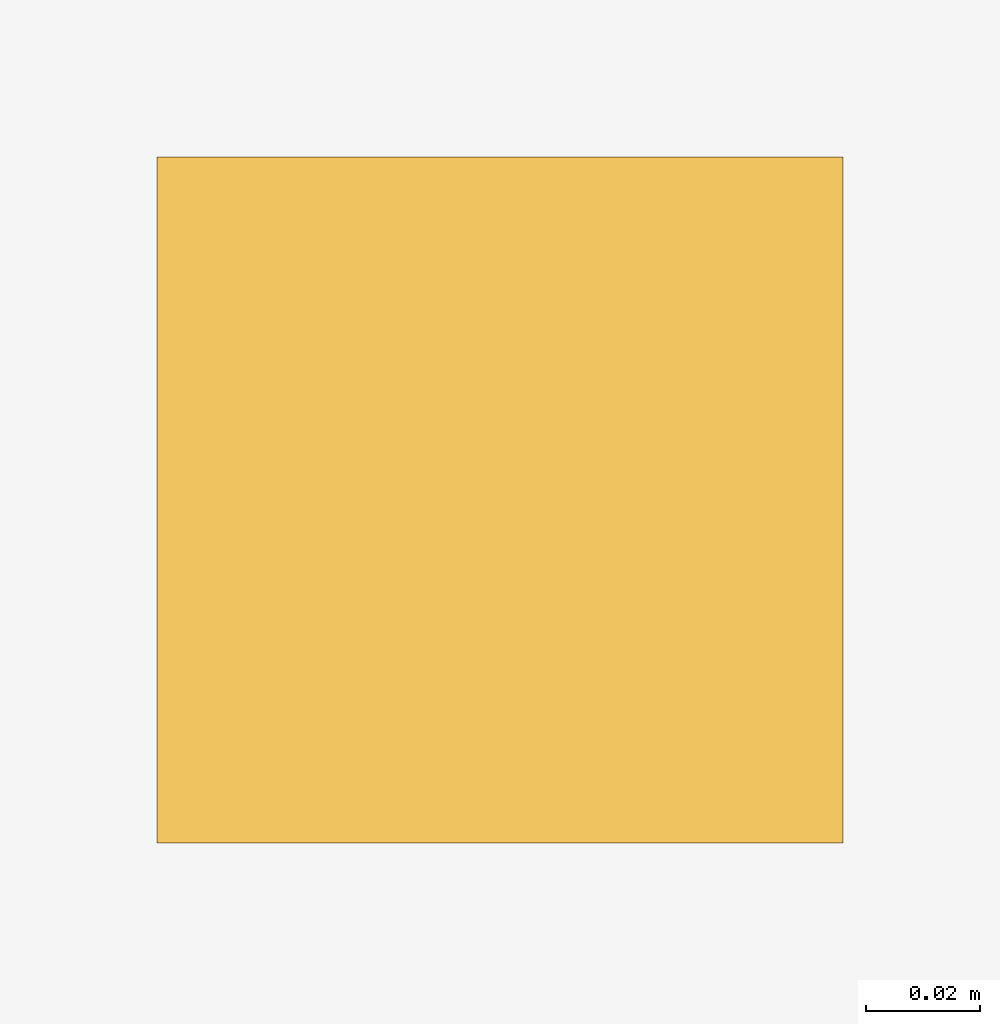
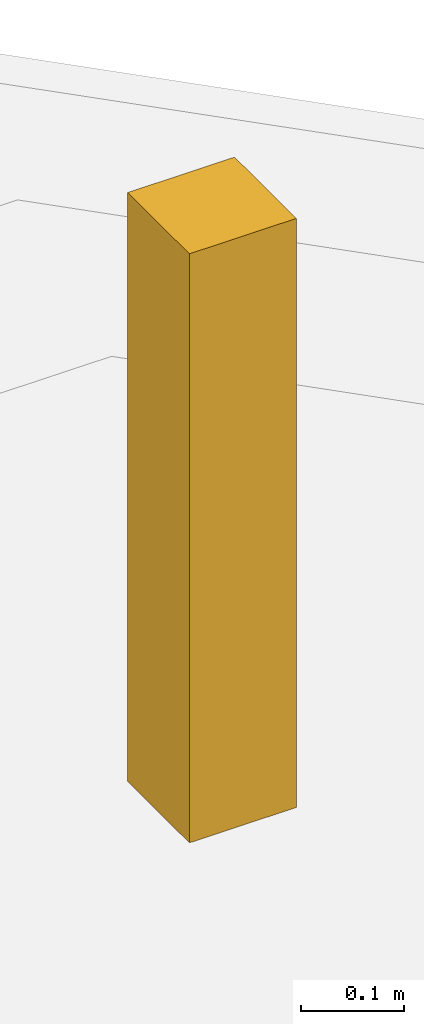
# One storey, part 18 of 20: 1 covering.
"""IFC4 building model written with IfcOpenShell, lengths in metres."""

from ifc_helpers import new_model, si_unit, direction, frame, origin, origin_2d, place, context, subcontext, project, spatial, rectangle, extrude, material, type_object, element, save


model = new_model("IFC4")

# Units and contexts
model_context = context("Model", 3, precision=1e-05, world=origin(), true_north=direction((0.0, 1.0)))
body_context = subcontext(model_context, "Body", "Model", "MODEL_VIEW")
ifc_project = project(units=[si_unit("LENGTHUNIT", "METRE"), si_unit("AREAUNIT", "SQUARE_METRE"), si_unit("VOLUMEUNIT", "CUBIC_METRE"), si_unit("PLANEANGLEUNIT", "RADIAN"), si_unit("MASSUNIT", "GRAM", prefix="KILO")], contexts=[model_context])

# Site, building, storey
site_placement = place(None, origin())
site = spatial("IfcSite", under=ifc_project, at=site_placement, CompositionType="ELEMENT")
building_placement = place(site_placement, origin())
building = spatial("IfcBuilding", under=site, at=building_placement, Name="Noorbagh Ring Tower", CompositionType="ELEMENT")
storey_placement = place(building_placement, frame((0.0, 0.0, 34.5)))
storey = spatial("IfcBuildingStorey", under=building, at=storey_placement, Name="L06", CompositionType="ELEMENT", Elevation=34.5)

# Covering
ifc_material = material(Name="Brass finial")
covering_type = type_object("IfcCoveringType", Name="STY-FINIAL", PredefinedType="ROOFING", material=ifc_material)
covering_placement = place(storey_placement, frame((43.5, 0.0, 1.5), z_axis=(0.0, 0.0, 1.0), x_axis=(1.0, 0.0, 0.0)))
element("IfcCovering", 1, at=covering_placement, inside=storey, type_object=covering_type, Name="Chhatri 1 finial", PredefinedType="ROOFING", context=body_context, shape_type="SweptSolid", body=[
    extrude(rectangle(XDim=0.1201171875, YDim=0.1201171875, at=origin_2d()), origin(), (0.0, 0.0, 1.0), 0.699951171875),
])

save(model, "model.ifc")
